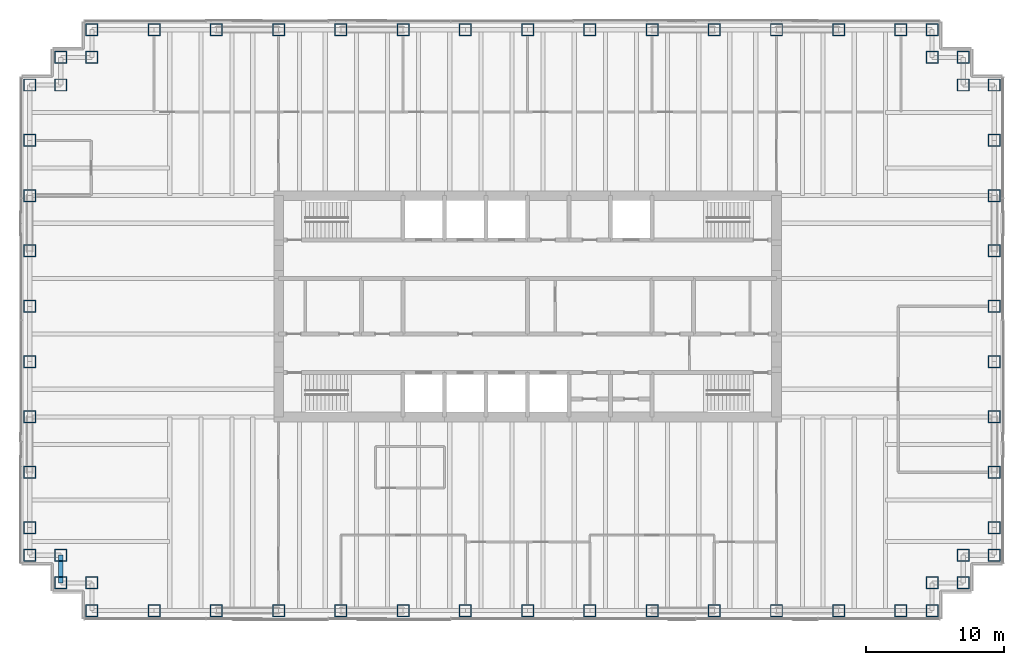
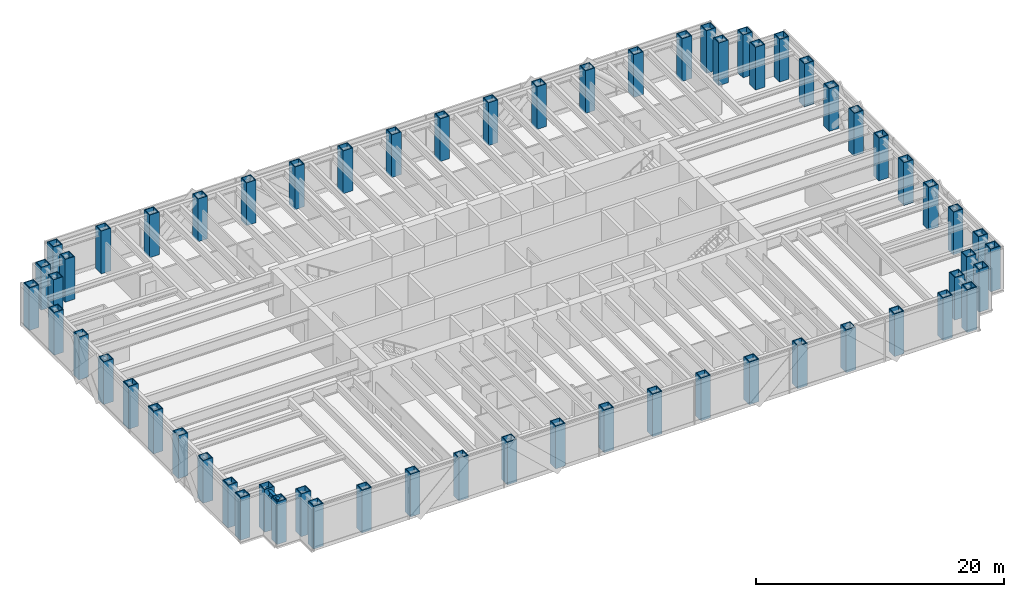
# One storey, part 1 of 17: 62 columns, 1 beam.
"""IFC4 building model written with IfcOpenShell, lengths in metres."""

from ifc_helpers import new_model, si_unit, direction, frame, origin, origin_2d, place, context, subcontext, project, spatial, hollow_rectangle, i_section, extrude, material, material_profile, profile_set, type_object, element, save


model = new_model("IFC4")

# Units and contexts
model_context = context("Model", 3, precision=1e-05, world=origin(), true_north=direction((0.0, 1.0)))
body_context = subcontext(model_context, "Body", "Model", "MODEL_VIEW")
ifc_project = project(units=[si_unit("LENGTHUNIT", "METRE"), si_unit("AREAUNIT", "SQUARE_METRE"), si_unit("VOLUMEUNIT", "CUBIC_METRE"), si_unit("PLANEANGLEUNIT", "RADIAN"), si_unit("MASSUNIT", "GRAM", prefix="KILO")], contexts=[model_context])

# Site, building, storey
site_placement = place(None, origin())
site = spatial("IfcSite", under=ifc_project, at=site_placement, CompositionType="ELEMENT")
building_placement = place(site_placement, origin())
building = spatial("IfcBuilding", under=site, at=building_placement, Name="Rheinbord Bourse Tower", CompositionType="ELEMENT")
storey_placement = place(building_placement, frame((0.0, 0.0, 283.699951171875)))
storey = spatial("IfcBuildingStorey", under=building, at=storey_placement, Name="L64", CompositionType="ELEMENT", Elevation=283.699951171875)

# Columns
ifc_material_1 = material(Name="Steel S460M", Category="steel")
ifc_material_profile_1 = material_profile(ifc_material_1, hollow_rectangle(XDim=0.89990234375, YDim=0.89990234375, WallThickness=0.070068359375, at=origin_2d()), Name="BOX 900x900x70")
ifc_profile_set_1 = profile_set([ifc_material_profile_1], Name="Steel S460M")
column_type = type_object("IfcColumnType", Name="TUBE COLUMN BOX 900x900x70", PredefinedType="COLUMN", material=ifc_profile_set_1)
for number, where, z_axis, x_axis, name in (
    (1, (4.5, 2.0, 0.0), (0.0, 0.0, 1.0), (0.0, 1.0, 0.0), "Column SW-E L64"),
    (2, (9.0, 2.0, 0.0), (0.0, 0.0, 1.0), (0.0, 1.0, 0.0), "Column S-9 L64"),
    (3, (13.5, 2.0, 0.0), (0.0, 0.0, 1.0), (0.0, 1.0, 0.0), "Column S-13.5 L64"),
    (4, (18.0, 2.0, 0.0), (0.0, 0.0, 1.0), (0.0, 1.0, 0.0), "Column S-18 L64"),
    (5, (22.5, 2.0, 0.0), (0.0, 0.0, 1.0), (0.0, 1.0, 0.0), "Column S-22.5 L64"),
    (6, (27.0, 2.0, 0.0), (0.0, 0.0, 1.0), (0.0, 1.0, 0.0), "Column S-27 L64"),
    (7, (31.5, 2.0, 0.0), (0.0, 0.0, 1.0), (0.0, 1.0, 0.0), "Column S-31.5 L64"),
    (8, (36.0, 2.0, 0.0), (0.0, 0.0, 1.0), (0.0, 1.0, 0.0), "Column S-36 L64"),
    (9, (40.5, 2.0, 0.0), (0.0, 0.0, 1.0), (0.0, 1.0, 0.0), "Column S-40.5 L64"),
    (10, (45.0, 2.0, 0.0), (0.0, 0.0, 1.0), (0.0, 1.0, 0.0), "Column S-45 L64"),
    (11, (49.5, 2.0, 0.0), (0.0, 0.0, 1.0), (0.0, 1.0, 0.0), "Column S-49.5 L64"),
    (12, (54.0, 2.0, 0.0), (0.0, 0.0, 1.0), (0.0, 1.0, 0.0), "Column S-54 L64"),
    (13, (58.5, 2.0, 0.0), (0.0, 0.0, 1.0), (0.0, 1.0, 0.0), "Column S-58.5 L64"),
    (14, (63.0, 2.0, 0.0), (0.0, 0.0, 1.0), (0.0, 1.0, 0.0), "Column S-63 L64"),
    (15, (65.25, 2.0, 0.0), (0.0, 0.0, 1.0), (0.0, 1.0, 0.0), "Column SE-E L64"),
    (16, (65.25, 4.0, 0.0), (0.0, 0.0, 1.0), (0.0, 1.0, 0.0), "Column SE-D L64"),
    (17, (67.5, 4.0, 0.0), (0.0, 0.0, 1.0), (1.0, 0.0, 0.0), "Column SE-C L64"),
    (18, (67.5, 6.0, 0.0), (0.0, 0.0, 1.0), (1.0, 0.0, 0.0), "Column SE-B L64"),
    (19, (69.75, 6.0, 0.0), (0.0, 0.0, 1.0), (1.0, 0.0, 0.0), "Column SE-A L64"),
    (20, (69.75, 8.0, 0.0), (0.0, 0.0, 1.0), (1.0, 0.0, 0.0), "Column E-8 L64"),
    (21, (69.75, 12.0, 0.0), (0.0, 0.0, 1.0), (1.0, 0.0, 0.0), "Column E-12 L64"),
    (22, (69.75, 16.0, 0.0), (0.0, 0.0, 1.0), (1.0, 0.0, 0.0), "Column E-16 L64"),
    (23, (69.75, 20.0, 0.0), (0.0, 0.0, 1.0), (1.0, 0.0, 0.0), "Column E-20 L64"),
    (24, (69.75, 24.0, 0.0), (0.0, 0.0, 1.0), (1.0, 0.0, 0.0), "Column E-24 L64"),
    (25, (69.75, 28.0, 0.0), (0.0, 0.0, 1.0), (1.0, 0.0, 0.0), "Column E-28 L64"),
    (26, (69.75, 32.0, 0.0), (0.0, 0.0, 1.0), (1.0, 0.0, 0.0), "Column E-32 L64"),
    (27, (69.75, 36.0, 0.0), (0.0, 0.0, 1.0), (1.0, 0.0, 0.0), "Column E-36 L64"),
    (28, (69.75, 40.0, 0.0), (0.0, 0.0, 1.0), (1.0, 0.0, 0.0), "Column NE-A L64"),
    (29, (67.5, 40.0, 0.0), (0.0, 0.0, 1.0), (1.0, 0.0, 0.0), "Column NE-B L64"),
    (30, (67.5, 42.0, 0.0), (0.0, 0.0, 1.0), (1.0, 0.0, 0.0), "Column NE-C L64"),
    (31, (65.25, 42.0, 0.0), (0.0, 0.0, 1.0), (0.0, 1.0, 0.0), "Column NE-D L64"),
    (32, (65.25, 44.0, 0.0), (0.0, 0.0, 1.0), (0.0, 1.0, 0.0), "Column NE-E L64"),
    (33, (63.0, 44.0, 0.0), (0.0, 0.0, 1.0), (0.0, 1.0, 0.0), "Column N-63 L64"),
    (34, (58.5, 44.0, 0.0), (0.0, 0.0, 1.0), (0.0, 1.0, 0.0), "Column N-58.5 L64"),
    (35, (54.0, 44.0, 0.0), (0.0, 0.0, 1.0), (0.0, 1.0, 0.0), "Column N-54 L64"),
    (36, (49.5, 44.0, 0.0), (0.0, 0.0, 1.0), (0.0, 1.0, 0.0), "Column N-49.5 L64"),
    (37, (45.0, 44.0, 0.0), (0.0, 0.0, 1.0), (0.0, 1.0, 0.0), "Column N-45 L64"),
    (38, (40.5, 44.0, 0.0), (0.0, 0.0, 1.0), (0.0, 1.0, 0.0), "Column N-40.5 L64"),
    (39, (36.0, 44.0, 0.0), (0.0, 0.0, 1.0), (0.0, 1.0, 0.0), "Column N-36 L64"),
    (40, (31.5, 44.0, 0.0), (0.0, 0.0, 1.0), (0.0, 1.0, 0.0), "Column N-31.5 L64"),
    (41, (27.0, 44.0, 0.0), (0.0, 0.0, 1.0), (0.0, 1.0, 0.0), "Column N-27 L64"),
    (42, (22.5, 44.0, 0.0), (0.0, 0.0, 1.0), (0.0, 1.0, 0.0), "Column N-22.5 L64"),
    (43, (18.0, 44.0, 0.0), (0.0, 0.0, 1.0), (0.0, 1.0, 0.0), "Column N-18 L64"),
    (44, (13.5, 44.0, 0.0), (0.0, 0.0, 1.0), (0.0, 1.0, 0.0), "Column N-13.5 L64"),
    (45, (9.0, 44.0, 0.0), (0.0, 0.0, 1.0), (0.0, 1.0, 0.0), "Column N-9 L64"),
    (46, (4.5, 44.0, 0.0), (0.0, 0.0, 1.0), (0.0, 1.0, 0.0), "Column NW-E L64"),
    (47, (4.5, 42.0, 0.0), (0.0, 0.0, 1.0), (0.0, 1.0, 0.0), "Column NW-D L64"),
    (48, (2.25, 42.0, 0.0), (0.0, 0.0, 1.0), (1.0, 0.0, 0.0), "Column NW-C L64"),
    (49, (2.25, 40.0, 0.0), (0.0, 0.0, 1.0), (1.0, 0.0, 0.0), "Column NW-B L64"),
    (50, (0.0, 40.0, 0.0), (0.0, 0.0, 1.0), (1.0, 0.0, 0.0), "Column NW-A L64"),
    (51, (0.0, 36.0, 0.0), (0.0, 0.0, 1.0), (1.0, 0.0, 0.0), "Column W-36 L64"),
    (52, (0.0, 32.0, 0.0), (0.0, 0.0, 1.0), (1.0, 0.0, 0.0), "Column W-32 L64"),
    (53, (0.0, 28.0, 0.0), (0.0, 0.0, 1.0), (1.0, 0.0, 0.0), "Column W-28 L64"),
    (54, (0.0, 24.0, 0.0), (0.0, 0.0, 1.0), (1.0, 0.0, 0.0), "Column W-24 L64"),
    (55, (0.0, 20.0, 0.0), (0.0, 0.0, 1.0), (1.0, 0.0, 0.0), "Column W-20 L64"),
    (56, (0.0, 16.0, 0.0), (0.0, 0.0, 1.0), (1.0, 0.0, 0.0), "Column W-16 L64"),
    (57, (0.0, 12.0, 0.0), (0.0, 0.0, 1.0), (1.0, 0.0, 0.0), "Column W-12 L64"),
    (58, (0.0, 8.0, 0.0), (0.0, 0.0, 1.0), (1.0, 0.0, 0.0), "Column W-8 L64"),
    (59, (0.0, 6.0, 0.0), (0.0, 0.0, 1.0), (1.0, 0.0, 0.0), "Column SW-A L64"),
    (60, (2.25, 6.0, 0.0), (0.0, 0.0, 1.0), (1.0, 0.0, 0.0), "Column SW-B L64"),
    (61, (2.25, 4.0, 0.0), (0.0, 0.0, 1.0), (1.0, 0.0, 0.0), "Column SW-C L64"),
    (62, (4.5, 4.0, 0.0), (0.0, 0.0, 1.0), (0.0, 1.0, 0.0), "Column SW-D L64"),
):
    element("IfcColumn", number, at=place(storey_placement, frame(where, z_axis=z_axis, x_axis=x_axis)), inside=storey, type_object=column_type, Name=name, PredefinedType="COLUMN", context=body_context, shape_type="SweptSolid", body=[
        extrude(hollow_rectangle(XDim=0.89990234375, YDim=0.89990234375, WallThickness=0.070068359375, at=origin_2d()), origin(), (0.0, 0.0, 1.0), 4.199951171875),
    ])

# Beam
ifc_material_2 = material(Name="Steel S460", Category="steel")
ifc_material_profile_2 = material_profile(ifc_material_2, i_section(OverallWidth=0.300048828125, OverallDepth=0.550048828125, WebThickness=0.014892578125, FlangeThickness=0.029052734375, at=origin_2d()), Name="HEB 550")
ifc_profile_set_2 = profile_set([ifc_material_profile_2], Name="Steel S460")
beam_type = type_object("IfcBeamType", Name="SPANDREL HEB 550", PredefinedType="SPANDREL", material=ifc_profile_set_2)
beam_placement = place(storey_placement, frame((2.25, 6.0, 3.76513671875), z_axis=(0.0, -1.0, 0.0), x_axis=(1.0, 0.0, 0.0)))
element("IfcBeam", 63, at=beam_placement, inside=storey, type_object=beam_type, Name="Spandrel SW-B-SW-C under L65", PredefinedType="SPANDREL", context=body_context, shape_type="SweptSolid", body=[
    extrude(i_section(OverallWidth=0.300048828125, OverallDepth=0.550048828125, WebThickness=0.014892578125, FlangeThickness=0.029052734375, at=origin_2d()), origin(), (0.0, 0.0, 1.0), 2.0),
])

save(model, "model.ifc")
